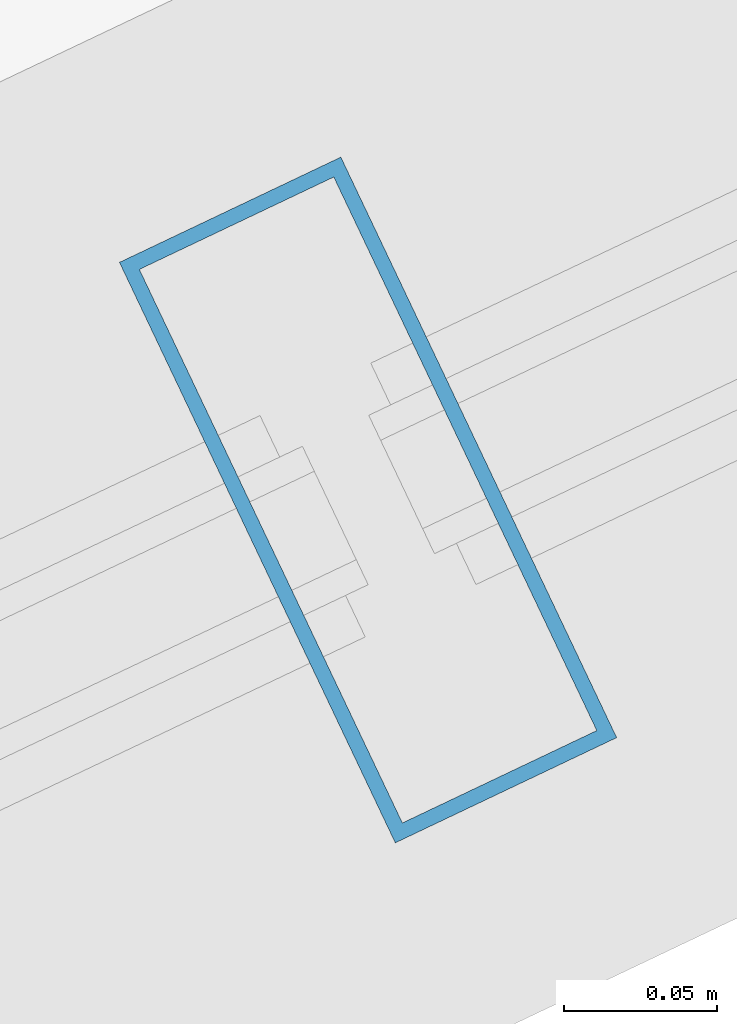
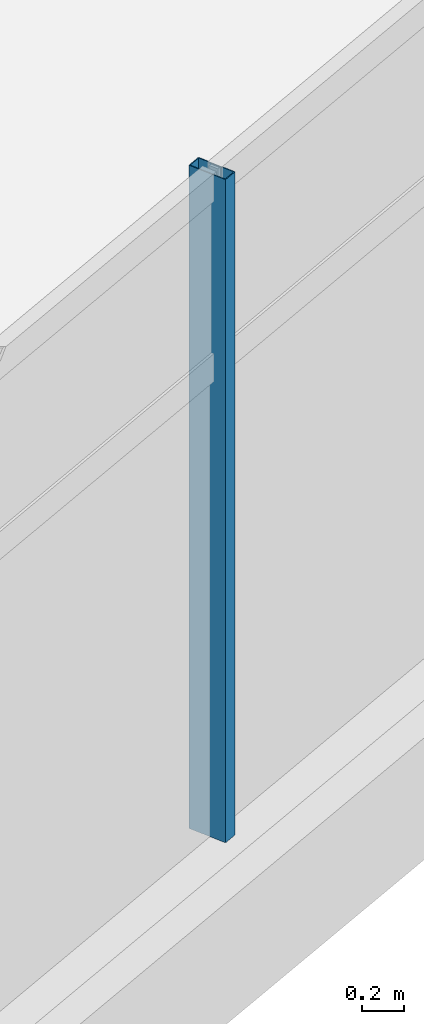
# One storey, part 53 of 171: 1 member, 1 element without a shape of its own.
"""IFC4 building model written with IfcOpenShell, lengths in metres."""

from ifc_helpers import new_model, si_unit, direction, frame, origin, origin_2d, place, context, subcontext, project, spatial, hollow_rectangle, extrude, material, layer, layer_set, material_profile, profile_set, type_object, element, aggregate, save


model = new_model("IFC4")

# Units and contexts
model_context = context("Model", 3, precision=1e-05, world=origin(), true_north=direction((0.0, 1.0)))
body_context = subcontext(model_context, "Body", "Model", "MODEL_VIEW")
ifc_project = project(units=[si_unit("LENGTHUNIT", "METRE"), si_unit("AREAUNIT", "SQUARE_METRE"), si_unit("VOLUMEUNIT", "CUBIC_METRE"), si_unit("PLANEANGLEUNIT", "RADIAN"), si_unit("MASSUNIT", "GRAM", prefix="KILO")], contexts=[model_context])

# Site, building, storey
site_placement = place(None, origin())
site = spatial("IfcSite", under=ifc_project, at=site_placement, CompositionType="ELEMENT")
building_placement = place(site_placement, origin())
building = spatial("IfcBuilding", under=site, at=building_placement, Name="Kazemori Nagisa Stadium", CompositionType="ELEMENT")
storey_placement = place(building_placement, frame((0.0, 0.0, 15.639892578125)))
storey = spatial("IfcBuildingStorey", under=building, at=storey_placement, Name="L03", CompositionType="ELEMENT", Elevation=15.639892578125)

# Curtain wall, member
ifc_material_1 = material(Name="Anodised aluminium 6063-T5", Category="aluminium")
ifc_layer = layer(ifc_material_1, 0.2099609375, Name="Anodised aluminium 6063-T5", Category="aluminium")
ifc_layer_set = layer_set([ifc_layer], Name="Anodised aluminium 6063-T5")
curtain_wall_type = type_object("IfcCurtainWallType", Name="CW_L03R3_105", PredefinedType="USERDEFINED", material=ifc_layer_set)
curtain_wall_placement = place(storey_placement, origin())
curtain_wall = element("IfcCurtainWall", 1, at=curtain_wall_placement, inside=storey, type_object=curtain_wall_type, Name="Unitised curtain wall CW-L03R3-105 L03", ObjectType="UNITISED CURTAIN WALL", PredefinedType="USERDEFINED")
ifc_material_2 = material(Name="Aluminium 6063-T5 anodised", Category="aluminium")
ifc_material_profile = material_profile(ifc_material_2, hollow_rectangle(XDim=0.080078125, YDim=0.2099609375, WallThickness=0.0048828125, at=origin_2d()), Name="ALU-MULL-80x210x5")
ifc_profile_set = profile_set([ifc_material_profile], Name="Aluminium 6063-T5 anodised")
member_type = type_object("IfcMemberType", Name="Mullion_M02", PredefinedType="MULLION", material=ifc_profile_set)
member_placement = place(storey_placement, frame((172.54541015625, 24.73876953125, 0.0), z_axis=(0.0, 0.0, 1.0), x_axis=(0.903215892654, 0.429186499388, 0.0)))
member = element("IfcMember", 2, at=member_placement, type_object=member_type, Name="Curtain wall mullion CW-L03R3-105-M2", PredefinedType="MULLION", context=body_context, shape_type="SweptSolid", body=[
    extrude(hollow_rectangle(XDim=0.080078125, YDim=0.2099609375, WallThickness=0.0048828125, at=origin_2d()), origin(), (0.0, 0.0, 1.0), 3.81005859375),
])
aggregate(curtain_wall, [member])

save(model, "model.ifc")
